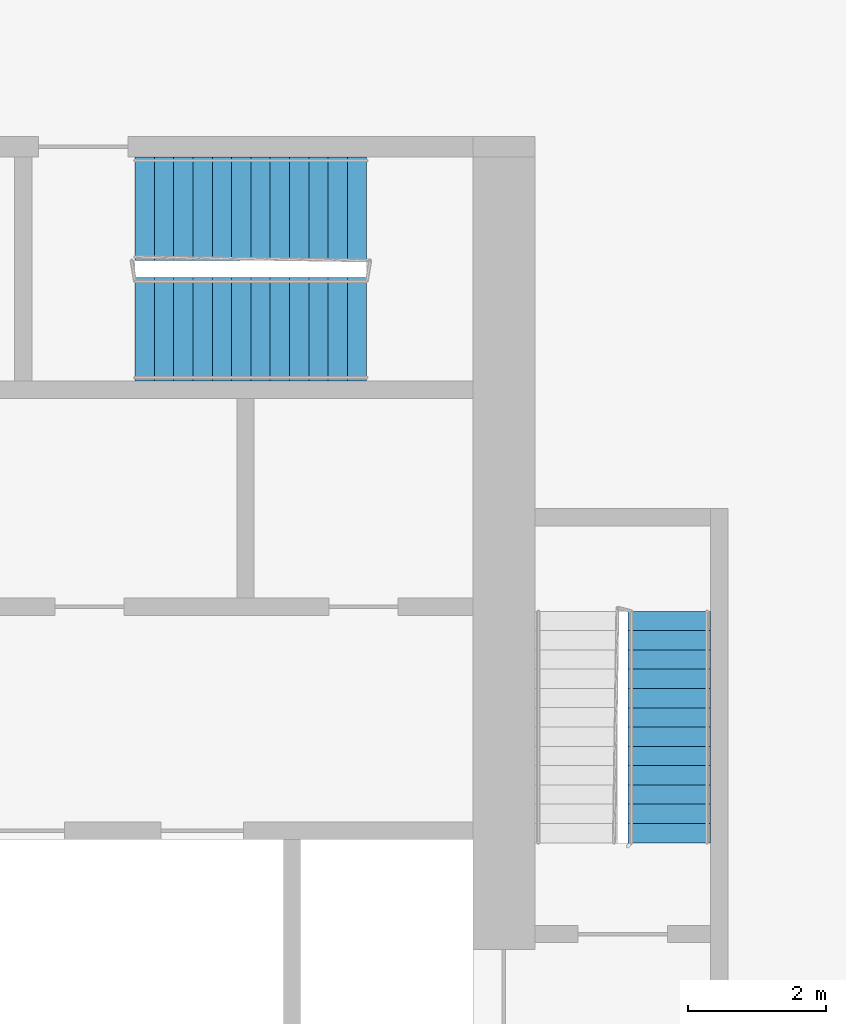
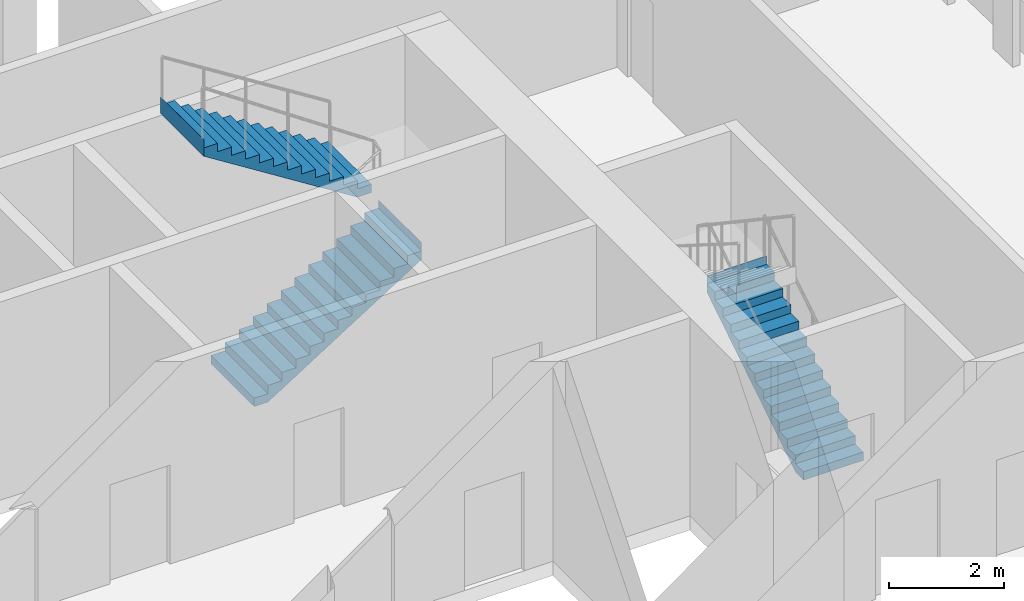
# One storey, part 24 of 26: 3 stair flights, 2 elements without a shape of their own.
"""IFC4 building model written with IfcOpenShell, lengths in metres."""

from ifc_helpers import new_model, si_unit, direction, frame, origin, place, context, subcontext, project, spatial, faceted_brep, material, type_object, element, aggregate, save


model = new_model("IFC4")

# Units and contexts
model_context = context("Model", 3, precision=1e-05, world=origin(), true_north=direction((0.0, 1.0)))
body_context = subcontext(model_context, "Body", "Model", "MODEL_VIEW")
ifc_project = project(units=[si_unit("LENGTHUNIT", "METRE"), si_unit("AREAUNIT", "SQUARE_METRE"), si_unit("VOLUMEUNIT", "CUBIC_METRE"), si_unit("PLANEANGLEUNIT", "RADIAN"), si_unit("MASSUNIT", "GRAM", prefix="KILO")], contexts=[model_context])

# Site, building, storey
site_placement = place(None, origin())
site = spatial("IfcSite", under=ifc_project, at=site_placement, CompositionType="ELEMENT")
building_placement = place(site_placement, origin())
building = spatial("IfcBuilding", under=site, at=building_placement, Name="Kajstack Hotel Tower", CompositionType="ELEMENT")
storey_placement = place(building_placement, frame((0.0, 0.0, 257.300048828125)))
storey = spatial("IfcBuildingStorey", under=building, at=storey_placement, Name="L64", CompositionType="ELEMENT", Elevation=257.300048828125)

# Stair, stair flight
ifc_material = material(Name="Concrete C40/50", Category="concrete")
stair_type_1 = type_object("IfcStairType", Name="Exit stair 1200", PredefinedType="HALF_TURN_STAIR", material=ifc_material)
stair_1_placement = place(storey_placement, origin())
stair_1 = element("IfcStair", 1, at=stair_1_placement, inside=storey, type_object=stair_type_1, Name="L64 stair E1", PredefinedType="HALF_TURN_STAIR")
stair_flight_type_1 = type_object("IfcStairFlightType", Name="Exit stair flight 1200", PredefinedType="STRAIGHT", material=ifc_material)
stair_flight_1_placement = place(storey_placement, frame((33.449951171875, 5.25, 0.0), z_axis=(0.0, 0.0, 1.0), x_axis=(0.0, 1.0, 0.0)))
stair_flight_1 = element("IfcStairFlight", 2, at=stair_flight_1_placement, type_object=stair_flight_type_1, Name="E1 flight 1", NumberOfRisers=13, NumberOfTreads=12, PredefinedType="STRAIGHT", RiserHeight=0.176923077, TreadLength=0.28, context=body_context, shape_type="Brep", body=[
    faceted_brep([(0.281005859375, -0.60009765625, 0.0), (3.360595703125, -0.60009765625, 1.94580078125), (3.360595703125, -0.60009765625, 2.300048828125), (3.360107421875, -0.60009765625, 2.300048828125), (3.360107421875, -0.60009765625, 2.123046875), (3.080078125, -0.60009765625, 2.123046875), (3.080078125, -0.60009765625, 1.946044921875), (2.800048828125, -0.60009765625, 1.946044921875), (2.800048828125, -0.60009765625, 1.769287109375), (2.52001953125, -0.60009765625, 1.769287109375), (2.52001953125, -0.60009765625, 1.59228515625), (2.239990234375, -0.60009765625, 1.59228515625), (2.239990234375, -0.60009765625, 1.415283203125), (1.9599609375, -0.60009765625, 1.415283203125), (1.9599609375, -0.60009765625, 1.238525390625), (1.679931640625, -0.60009765625, 1.238525390625), (1.679931640625, -0.60009765625, 1.0615234375), (1.39990234375, -0.60009765625, 1.0615234375), (1.39990234375, -0.60009765625, 0.884521484375), (1.1201171875, -0.60009765625, 0.884521484375), (1.1201171875, -0.60009765625, 0.707763671875), (0.840087890625, -0.60009765625, 0.707763671875), (0.840087890625, -0.60009765625, 0.53076171875), (0.56005859375, -0.60009765625, 0.53076171875), (0.56005859375, -0.60009765625, 0.353759765625), (0.280029296875, -0.60009765625, 0.353759765625), (0.280029296875, -0.60009765625, 0.177001953125), (-0.00048828125, -0.60009765625, 0.177001953125), (-0.00048828125, -0.60009765625, 0.0), (-0.00048828125, 0.60009765625, 0.0), (-0.00048828125, 0.60009765625, 0.177001953125), (0.280029296875, 0.60009765625, 0.177001953125), (0.280029296875, 0.60009765625, 0.353759765625), (0.56005859375, 0.60009765625, 0.353759765625), (0.56005859375, 0.60009765625, 0.53076171875), (0.840087890625, 0.60009765625, 0.53076171875), (0.840087890625, 0.60009765625, 0.707763671875), (1.1201171875, 0.60009765625, 0.707763671875), (1.1201171875, 0.60009765625, 0.884521484375), (1.39990234375, 0.60009765625, 0.884521484375), (1.39990234375, 0.60009765625, 1.0615234375), (1.679931640625, 0.60009765625, 1.0615234375), (1.679931640625, 0.60009765625, 1.238525390625), (1.9599609375, 0.60009765625, 1.238525390625), (1.9599609375, 0.60009765625, 1.415283203125), (2.239990234375, 0.60009765625, 1.415283203125), (2.239990234375, 0.60009765625, 1.59228515625), (2.52001953125, 0.60009765625, 1.59228515625), (2.52001953125, 0.60009765625, 1.769287109375), (2.800048828125, 0.60009765625, 1.769287109375), (2.800048828125, 0.60009765625, 1.946044921875), (3.080078125, 0.60009765625, 1.946044921875), (3.080078125, 0.60009765625, 2.123046875), (3.360107421875, 0.60009765625, 2.123046875), (3.360107421875, 0.60009765625, 2.300048828125), (3.360595703125, 0.60009765625, 2.300048828125), (3.360595703125, 0.60009765625, 1.94580078125), (0.281005859375, 0.60009765625, 0.0), (-0.00048828125, -0.300048828125, 0.177001953125), (-0.00048828125, 0.0, 0.177001953125), (-0.00048828125, 0.300048828125, 0.177001953125), (-0.00048828125, 0.300048828125, 0.0), (-0.00048828125, 0.0, 0.0), (-0.00048828125, -0.300048828125, 0.0), (0.280029296875, -0.300048828125, 0.177001953125), (0.280029296875, 0.0, 0.177001953125), (0.280029296875, 0.300048828125, 0.177001953125), (0.280029296875, -0.300048828125, 0.353759765625), (0.280029296875, 0.0, 0.353759765625), (0.280029296875, 0.300048828125, 0.353759765625), (0.56005859375, -0.300048828125, 0.353759765625), (0.56005859375, 0.0, 0.353759765625), (0.56005859375, 0.300048828125, 0.353759765625), (0.56005859375, -0.300048828125, 0.53076171875), (0.56005859375, 0.0, 0.53076171875), (0.56005859375, 0.300048828125, 0.53076171875), (0.840087890625, -0.300048828125, 0.53076171875), (0.840087890625, 0.0, 0.53076171875), (0.840087890625, 0.300048828125, 0.53076171875), (0.840087890625, -0.300048828125, 0.707763671875), (0.840087890625, 0.0, 0.707763671875), (0.840087890625, 0.300048828125, 0.707763671875), (1.1201171875, -0.300048828125, 0.707763671875), (1.1201171875, 0.0, 0.707763671875), (1.1201171875, 0.300048828125, 0.707763671875), (1.1201171875, -0.300048828125, 0.884521484375), (1.1201171875, 0.0, 0.884521484375), (1.1201171875, 0.300048828125, 0.884521484375), (1.39990234375, -0.300048828125, 0.884521484375), (1.39990234375, 0.0, 0.884521484375), (1.39990234375, 0.300048828125, 0.884521484375), (1.39990234375, -0.300048828125, 1.0615234375), (1.39990234375, 0.0, 1.0615234375), (1.39990234375, 0.300048828125, 1.0615234375), (1.679931640625, -0.300048828125, 1.0615234375), (1.679931640625, 0.0, 1.0615234375), (1.679931640625, 0.300048828125, 1.0615234375), (1.679931640625, -0.300048828125, 1.238525390625), (1.679931640625, 0.0, 1.238525390625), (1.679931640625, 0.300048828125, 1.238525390625), (1.9599609375, -0.300048828125, 1.238525390625), (1.9599609375, 0.0, 1.238525390625), (1.9599609375, 0.300048828125, 1.238525390625), (1.9599609375, -0.300048828125, 1.415283203125), (1.9599609375, 0.0, 1.415283203125), (1.9599609375, 0.300048828125, 1.415283203125), (2.239990234375, -0.300048828125, 1.415283203125), (2.239990234375, 0.0, 1.415283203125), (2.239990234375, 0.300048828125, 1.415283203125), (2.239990234375, -0.300048828125, 1.59228515625), (2.239990234375, 0.0, 1.59228515625), (2.239990234375, 0.300048828125, 1.59228515625), (2.52001953125, -0.300048828125, 1.59228515625), (2.52001953125, 0.0, 1.59228515625), (2.52001953125, 0.300048828125, 1.59228515625), (2.52001953125, -0.300048828125, 1.769287109375), (2.52001953125, 0.0, 1.769287109375), (2.52001953125, 0.300048828125, 1.769287109375), (2.800048828125, -0.300048828125, 1.769287109375), (2.800048828125, 0.0, 1.769287109375), (2.800048828125, 0.300048828125, 1.769287109375), (2.800048828125, -0.300048828125, 1.946044921875), (2.800048828125, 0.0, 1.946044921875), (2.800048828125, 0.300048828125, 1.946044921875), (3.080078125, -0.300048828125, 1.946044921875), (3.080078125, 0.0, 1.946044921875), (3.080078125, 0.300048828125, 1.946044921875), (3.080078125, -0.300048828125, 2.123046875), (3.080078125, 0.0, 2.123046875), (3.080078125, 0.300048828125, 2.123046875), (3.360107421875, -0.300048828125, 2.123046875), (3.360107421875, 0.0, 2.123046875), (3.360107421875, 0.300048828125, 2.123046875), (3.360107421875, -0.300048828125, 2.300048828125), (3.360107421875, 0.0, 2.300048828125), (3.360107421875, 0.300048828125, 2.300048828125), (3.360595703125, -0.300048828125, 2.300048828125), (3.360595703125, 0.0, 2.300048828125), (3.360595703125, 0.300048828125, 2.300048828125), (3.360595703125, -0.300048828125, 1.94580078125), (3.360595703125, 0.0, 1.94580078125), (3.360595703125, 0.300048828125, 1.94580078125), (0.281005859375, -0.300048828125, 0.0), (0.281005859375, 0.0, 0.0), (0.281005859375, 0.300048828125, 0.0)], [[[0, 1, 2, 3, 4, 5, 6, 7, 8, 9, 10, 11, 12, 13, 14, 15, 16, 17, 18, 19, 20, 21, 22, 23, 24, 25, 26, 27, 28]], [[29, 30, 31, 32, 33, 34, 35, 36, 37, 38, 39, 40, 41, 42, 43, 44, 45, 46, 47, 48, 49, 50, 51, 52, 53, 54, 55, 56, 57]], [[27, 58, 59, 60, 30, 29, 61, 62, 63, 28]], [[26, 64, 65, 66, 31, 30, 60, 59, 58, 27]], [[25, 67, 68, 69, 32, 31, 66, 65, 64, 26]], [[24, 70, 71, 72, 33, 32, 69, 68, 67, 25]], [[23, 73, 74, 75, 34, 33, 72, 71, 70, 24]], [[22, 76, 77, 78, 35, 34, 75, 74, 73, 23]], [[21, 79, 80, 81, 36, 35, 78, 77, 76, 22]], [[20, 82, 83, 84, 37, 36, 81, 80, 79, 21]], [[19, 85, 86, 87, 38, 37, 84, 83, 82, 20]], [[18, 88, 89, 90, 39, 38, 87, 86, 85, 19]], [[17, 91, 92, 93, 40, 39, 90, 89, 88, 18]], [[16, 94, 95, 96, 41, 40, 93, 92, 91, 17]], [[15, 97, 98, 99, 42, 41, 96, 95, 94, 16]], [[14, 100, 101, 102, 43, 42, 99, 98, 97, 15]], [[13, 103, 104, 105, 44, 43, 102, 101, 100, 14]], [[12, 106, 107, 108, 45, 44, 105, 104, 103, 13]], [[11, 109, 110, 111, 46, 45, 108, 107, 106, 12]], [[10, 112, 113, 114, 47, 46, 111, 110, 109, 11]], [[9, 115, 116, 117, 48, 47, 114, 113, 112, 10]], [[8, 118, 119, 120, 49, 48, 117, 116, 115, 9]], [[7, 121, 122, 123, 50, 49, 120, 119, 118, 8]], [[6, 124, 125, 126, 51, 50, 123, 122, 121, 7]], [[5, 127, 128, 129, 52, 51, 126, 125, 124, 6]], [[4, 130, 131, 132, 53, 52, 129, 128, 127, 5]], [[3, 133, 134, 135, 54, 53, 132, 131, 130, 4]], [[2, 136, 137, 138, 55, 54, 135, 134, 133, 3]], [[1, 139, 140, 141, 56, 55, 138, 137, 136, 2]], [[0, 142, 143, 144, 57, 56, 141, 140, 139, 1]], [[28, 63, 62, 61, 29, 57, 144, 143, 142, 0]]]),
])
aggregate(stair_1, [stair_flight_1])

# Stair, stair flights
stair_type_2 = type_object("IfcStairType", Name="Exit stair 1500", PredefinedType="HALF_TURN_STAIR", material=ifc_material)
stair_2_placement = place(storey_placement, origin())
stair_2 = element("IfcStair", 3, at=stair_2_placement, inside=storey, type_object=stair_type_2, Name="L64 stair E3", PredefinedType="HALF_TURN_STAIR")
stair_flight_type_2 = type_object("IfcStairFlightType", Name="Exit stair flight 1500", PredefinedType="STRAIGHT", material=ifc_material)
stair_flight_2_placement = place(storey_placement, frame((25.699951171875, 12.699951171875, 0.0), z_axis=(0.0, 0.0, 1.0), x_axis=(1.0, 0.0, 0.0)))
stair_flight_2 = element("IfcStairFlight", 4, at=stair_flight_2_placement, type_object=stair_flight_type_2, Name="E3 flight 1", NumberOfRisers=13, NumberOfTreads=12, PredefinedType="STRAIGHT", RiserHeight=0.176923077, TreadLength=0.28, context=body_context, shape_type="Brep", body=[
    faceted_brep([(0.281005859375, -0.75, 0.0), (3.360595703125, -0.75, 1.94580078125), (3.360595703125, -0.75, 2.300048828125), (3.360107421875, -0.75, 2.300048828125), (3.360107421875, -0.75, 2.123046875), (3.080078125, -0.75, 2.123046875), (3.080078125, -0.75, 1.946044921875), (2.800048828125, -0.75, 1.946044921875), (2.800048828125, -0.75, 1.769287109375), (2.52001953125, -0.75, 1.769287109375), (2.52001953125, -0.75, 1.59228515625), (2.239990234375, -0.75, 1.59228515625), (2.239990234375, -0.75, 1.415283203125), (1.9599609375, -0.75, 1.415283203125), (1.9599609375, -0.75, 1.238525390625), (1.679931640625, -0.75, 1.238525390625), (1.679931640625, -0.75, 1.0615234375), (1.39990234375, -0.75, 1.0615234375), (1.39990234375, -0.75, 0.884521484375), (1.1201171875, -0.75, 0.884521484375), (1.1201171875, -0.75, 0.707763671875), (0.840087890625, -0.75, 0.707763671875), (0.840087890625, -0.75, 0.53076171875), (0.56005859375, -0.75, 0.53076171875), (0.56005859375, -0.75, 0.353759765625), (0.280029296875, -0.75, 0.353759765625), (0.280029296875, -0.75, 0.177001953125), (-0.00048828125, -0.75, 0.177001953125), (-0.00048828125, -0.75, 0.0), (-0.00048828125, 0.75, 0.0), (-0.00048828125, 0.75, 0.177001953125), (0.280029296875, 0.75, 0.177001953125), (0.280029296875, 0.75, 0.353759765625), (0.56005859375, 0.75, 0.353759765625), (0.56005859375, 0.75, 0.53076171875), (0.840087890625, 0.75, 0.53076171875), (0.840087890625, 0.75, 0.707763671875), (1.1201171875, 0.75, 0.707763671875), (1.1201171875, 0.75, 0.884521484375), (1.39990234375, 0.75, 0.884521484375), (1.39990234375, 0.75, 1.0615234375), (1.679931640625, 0.75, 1.0615234375), (1.679931640625, 0.75, 1.238525390625), (1.9599609375, 0.75, 1.238525390625), (1.9599609375, 0.75, 1.415283203125), (2.239990234375, 0.75, 1.415283203125), (2.239990234375, 0.75, 1.59228515625), (2.52001953125, 0.75, 1.59228515625), (2.52001953125, 0.75, 1.769287109375), (2.800048828125, 0.75, 1.769287109375), (2.800048828125, 0.75, 1.946044921875), (3.080078125, 0.75, 1.946044921875), (3.080078125, 0.75, 2.123046875), (3.360107421875, 0.75, 2.123046875), (3.360107421875, 0.75, 2.300048828125), (3.360595703125, 0.75, 2.300048828125), (3.360595703125, 0.75, 1.94580078125), (0.281005859375, 0.75, 0.0), (-0.00048828125, -0.375, 0.177001953125), (-0.00048828125, 0.0, 0.177001953125), (-0.00048828125, 0.375, 0.177001953125), (-0.00048828125, 0.375, 0.0), (-0.00048828125, 0.0, 0.0), (-0.00048828125, -0.375, 0.0), (0.280029296875, -0.375, 0.177001953125), (0.280029296875, 0.0, 0.177001953125), (0.280029296875, 0.375, 0.177001953125), (0.280029296875, -0.375, 0.353759765625), (0.280029296875, 0.0, 0.353759765625), (0.280029296875, 0.375, 0.353759765625), (0.56005859375, -0.375, 0.353759765625), (0.56005859375, 0.0, 0.353759765625), (0.56005859375, 0.375, 0.353759765625), (0.56005859375, -0.375, 0.53076171875), (0.56005859375, 0.0, 0.53076171875), (0.56005859375, 0.375, 0.53076171875), (0.840087890625, -0.375, 0.53076171875), (0.840087890625, 0.0, 0.53076171875), (0.840087890625, 0.375, 0.53076171875), (0.840087890625, -0.375, 0.707763671875), (0.840087890625, 0.0, 0.707763671875), (0.840087890625, 0.375, 0.707763671875), (1.1201171875, -0.375, 0.707763671875), (1.1201171875, 0.0, 0.707763671875), (1.1201171875, 0.375, 0.707763671875), (1.1201171875, -0.375, 0.884521484375), (1.1201171875, 0.0, 0.884521484375), (1.1201171875, 0.375, 0.884521484375), (1.39990234375, -0.375, 0.884521484375), (1.39990234375, 0.0, 0.884521484375), (1.39990234375, 0.375, 0.884521484375), (1.39990234375, -0.375, 1.0615234375), (1.39990234375, 0.0, 1.0615234375), (1.39990234375, 0.375, 1.0615234375), (1.679931640625, -0.375, 1.0615234375), (1.679931640625, 0.0, 1.0615234375), (1.679931640625, 0.375, 1.0615234375), (1.679931640625, -0.375, 1.238525390625), (1.679931640625, 0.0, 1.238525390625), (1.679931640625, 0.375, 1.238525390625), (1.9599609375, -0.375, 1.238525390625), (1.9599609375, 0.0, 1.238525390625), (1.9599609375, 0.375, 1.238525390625), (1.9599609375, -0.375, 1.415283203125), (1.9599609375, 0.0, 1.415283203125), (1.9599609375, 0.375, 1.415283203125), (2.239990234375, -0.375, 1.415283203125), (2.239990234375, 0.0, 1.415283203125), (2.239990234375, 0.375, 1.415283203125), (2.239990234375, -0.375, 1.59228515625), (2.239990234375, 0.0, 1.59228515625), (2.239990234375, 0.375, 1.59228515625), (2.52001953125, -0.375, 1.59228515625), (2.52001953125, 0.0, 1.59228515625), (2.52001953125, 0.375, 1.59228515625), (2.52001953125, -0.375, 1.769287109375), (2.52001953125, 0.0, 1.769287109375), (2.52001953125, 0.375, 1.769287109375), (2.800048828125, -0.375, 1.769287109375), (2.800048828125, 0.0, 1.769287109375), (2.800048828125, 0.375, 1.769287109375), (2.800048828125, -0.375, 1.946044921875), (2.800048828125, 0.0, 1.946044921875), (2.800048828125, 0.375, 1.946044921875), (3.080078125, -0.375, 1.946044921875), (3.080078125, 0.0, 1.946044921875), (3.080078125, 0.375, 1.946044921875), (3.080078125, -0.375, 2.123046875), (3.080078125, 0.0, 2.123046875), (3.080078125, 0.375, 2.123046875), (3.360107421875, -0.375, 2.123046875), (3.360107421875, 0.0, 2.123046875), (3.360107421875, 0.375, 2.123046875), (3.360107421875, -0.375, 2.300048828125), (3.360107421875, 0.0, 2.300048828125), (3.360107421875, 0.375, 2.300048828125), (3.360595703125, -0.375, 2.300048828125), (3.360595703125, 0.0, 2.300048828125), (3.360595703125, 0.375, 2.300048828125), (3.360595703125, -0.375, 1.94580078125), (3.360595703125, 0.0, 1.94580078125), (3.360595703125, 0.375, 1.94580078125), (0.281005859375, -0.375, 0.0), (0.281005859375, 0.0, 0.0), (0.281005859375, 0.375, 0.0)], [[[0, 1, 2, 3, 4, 5, 6, 7, 8, 9, 10, 11, 12, 13, 14, 15, 16, 17, 18, 19, 20, 21, 22, 23, 24, 25, 26, 27, 28]], [[29, 30, 31, 32, 33, 34, 35, 36, 37, 38, 39, 40, 41, 42, 43, 44, 45, 46, 47, 48, 49, 50, 51, 52, 53, 54, 55, 56, 57]], [[27, 58, 59, 60, 30, 29, 61, 62, 63, 28]], [[26, 64, 65, 66, 31, 30, 60, 59, 58, 27]], [[25, 67, 68, 69, 32, 31, 66, 65, 64, 26]], [[24, 70, 71, 72, 33, 32, 69, 68, 67, 25]], [[23, 73, 74, 75, 34, 33, 72, 71, 70, 24]], [[22, 76, 77, 78, 35, 34, 75, 74, 73, 23]], [[21, 79, 80, 81, 36, 35, 78, 77, 76, 22]], [[20, 82, 83, 84, 37, 36, 81, 80, 79, 21]], [[19, 85, 86, 87, 38, 37, 84, 83, 82, 20]], [[18, 88, 89, 90, 39, 38, 87, 86, 85, 19]], [[17, 91, 92, 93, 40, 39, 90, 89, 88, 18]], [[16, 94, 95, 96, 41, 40, 93, 92, 91, 17]], [[15, 97, 98, 99, 42, 41, 96, 95, 94, 16]], [[14, 100, 101, 102, 43, 42, 99, 98, 97, 15]], [[13, 103, 104, 105, 44, 43, 102, 101, 100, 14]], [[12, 106, 107, 108, 45, 44, 105, 104, 103, 13]], [[11, 109, 110, 111, 46, 45, 108, 107, 106, 12]], [[10, 112, 113, 114, 47, 46, 111, 110, 109, 11]], [[9, 115, 116, 117, 48, 47, 114, 113, 112, 10]], [[8, 118, 119, 120, 49, 48, 117, 116, 115, 9]], [[7, 121, 122, 123, 50, 49, 120, 119, 118, 8]], [[6, 124, 125, 126, 51, 50, 123, 122, 121, 7]], [[5, 127, 128, 129, 52, 51, 126, 125, 124, 6]], [[4, 130, 131, 132, 53, 52, 129, 128, 127, 5]], [[3, 133, 134, 135, 54, 53, 132, 131, 130, 4]], [[2, 136, 137, 138, 55, 54, 135, 134, 133, 3]], [[1, 139, 140, 141, 56, 55, 138, 137, 136, 2]], [[0, 142, 143, 144, 57, 56, 141, 140, 139, 1]], [[28, 63, 62, 61, 29, 57, 144, 143, 142, 0]]]),
])
stair_flight_3_placement = place(storey_placement, frame((29.06005859375, 14.449951171875, 2.300048828125), z_axis=(0.0, 0.0, 1.0), x_axis=(-1.0, 0.0, 0.0)))
stair_flight_3 = element("IfcStairFlight", 5, at=stair_flight_3_placement, type_object=stair_flight_type_2, Name="E3 flight 2", NumberOfRisers=13, NumberOfTreads=12, PredefinedType="STRAIGHT", RiserHeight=0.176923077, TreadLength=0.28, context=body_context, shape_type="Brep", body=[
    faceted_brep([(0.281005859375, -0.75, 0.0), (3.360595703125, -0.75, 1.94580078125), (3.360595703125, -0.75, 2.300048828125), (3.360107421875, -0.75, 2.300048828125), (3.360107421875, -0.75, 2.123046875), (3.080078125, -0.75, 2.123046875), (3.080078125, -0.75, 1.946044921875), (2.800048828125, -0.75, 1.946044921875), (2.800048828125, -0.75, 1.769287109375), (2.52001953125, -0.75, 1.769287109375), (2.52001953125, -0.75, 1.59228515625), (2.239990234375, -0.75, 1.59228515625), (2.239990234375, -0.75, 1.415283203125), (1.9599609375, -0.75, 1.415283203125), (1.9599609375, -0.75, 1.238525390625), (1.679931640625, -0.75, 1.238525390625), (1.679931640625, -0.75, 1.0615234375), (1.39990234375, -0.75, 1.0615234375), (1.39990234375, -0.75, 0.884521484375), (1.1201171875, -0.75, 0.884521484375), (1.1201171875, -0.75, 0.707763671875), (0.840087890625, -0.75, 0.707763671875), (0.840087890625, -0.75, 0.53076171875), (0.56005859375, -0.75, 0.53076171875), (0.56005859375, -0.75, 0.353759765625), (0.280029296875, -0.75, 0.353759765625), (0.280029296875, -0.75, 0.177001953125), (-0.00048828125, -0.75, 0.177001953125), (-0.00048828125, -0.75, 0.0), (-0.00048828125, 0.75, 0.0), (-0.00048828125, 0.75, 0.177001953125), (0.280029296875, 0.75, 0.177001953125), (0.280029296875, 0.75, 0.353759765625), (0.56005859375, 0.75, 0.353759765625), (0.56005859375, 0.75, 0.53076171875), (0.840087890625, 0.75, 0.53076171875), (0.840087890625, 0.75, 0.707763671875), (1.1201171875, 0.75, 0.707763671875), (1.1201171875, 0.75, 0.884521484375), (1.39990234375, 0.75, 0.884521484375), (1.39990234375, 0.75, 1.0615234375), (1.679931640625, 0.75, 1.0615234375), (1.679931640625, 0.75, 1.238525390625), (1.9599609375, 0.75, 1.238525390625), (1.9599609375, 0.75, 1.415283203125), (2.239990234375, 0.75, 1.415283203125), (2.239990234375, 0.75, 1.59228515625), (2.52001953125, 0.75, 1.59228515625), (2.52001953125, 0.75, 1.769287109375), (2.800048828125, 0.75, 1.769287109375), (2.800048828125, 0.75, 1.946044921875), (3.080078125, 0.75, 1.946044921875), (3.080078125, 0.75, 2.123046875), (3.360107421875, 0.75, 2.123046875), (3.360107421875, 0.75, 2.300048828125), (3.360595703125, 0.75, 2.300048828125), (3.360595703125, 0.75, 1.94580078125), (0.281005859375, 0.75, 0.0), (-0.00048828125, -0.375, 0.177001953125), (-0.00048828125, 0.0, 0.177001953125), (-0.00048828125, 0.375, 0.177001953125), (-0.00048828125, 0.375, 0.0), (-0.00048828125, 0.0, 0.0), (-0.00048828125, -0.375, 0.0), (0.280029296875, -0.375, 0.177001953125), (0.280029296875, 0.0, 0.177001953125), (0.280029296875, 0.375, 0.177001953125), (0.280029296875, -0.375, 0.353759765625), (0.280029296875, 0.0, 0.353759765625), (0.280029296875, 0.375, 0.353759765625), (0.56005859375, -0.375, 0.353759765625), (0.56005859375, 0.0, 0.353759765625), (0.56005859375, 0.375, 0.353759765625), (0.56005859375, -0.375, 0.53076171875), (0.56005859375, 0.0, 0.53076171875), (0.56005859375, 0.375, 0.53076171875), (0.840087890625, -0.375, 0.53076171875), (0.840087890625, 0.0, 0.53076171875), (0.840087890625, 0.375, 0.53076171875), (0.840087890625, -0.375, 0.707763671875), (0.840087890625, 0.0, 0.707763671875), (0.840087890625, 0.375, 0.707763671875), (1.1201171875, -0.375, 0.707763671875), (1.1201171875, 0.0, 0.707763671875), (1.1201171875, 0.375, 0.707763671875), (1.1201171875, -0.375, 0.884521484375), (1.1201171875, 0.0, 0.884521484375), (1.1201171875, 0.375, 0.884521484375), (1.39990234375, -0.375, 0.884521484375), (1.39990234375, 0.0, 0.884521484375), (1.39990234375, 0.375, 0.884521484375), (1.39990234375, -0.375, 1.0615234375), (1.39990234375, 0.0, 1.0615234375), (1.39990234375, 0.375, 1.0615234375), (1.679931640625, -0.375, 1.0615234375), (1.679931640625, 0.0, 1.0615234375), (1.679931640625, 0.375, 1.0615234375), (1.679931640625, -0.375, 1.238525390625), (1.679931640625, 0.0, 1.238525390625), (1.679931640625, 0.375, 1.238525390625), (1.9599609375, -0.375, 1.238525390625), (1.9599609375, 0.0, 1.238525390625), (1.9599609375, 0.375, 1.238525390625), (1.9599609375, -0.375, 1.415283203125), (1.9599609375, 0.0, 1.415283203125), (1.9599609375, 0.375, 1.415283203125), (2.239990234375, -0.375, 1.415283203125), (2.239990234375, 0.0, 1.415283203125), (2.239990234375, 0.375, 1.415283203125), (2.239990234375, -0.375, 1.59228515625), (2.239990234375, 0.0, 1.59228515625), (2.239990234375, 0.375, 1.59228515625), (2.52001953125, -0.375, 1.59228515625), (2.52001953125, 0.0, 1.59228515625), (2.52001953125, 0.375, 1.59228515625), (2.52001953125, -0.375, 1.769287109375), (2.52001953125, 0.0, 1.769287109375), (2.52001953125, 0.375, 1.769287109375), (2.800048828125, -0.375, 1.769287109375), (2.800048828125, 0.0, 1.769287109375), (2.800048828125, 0.375, 1.769287109375), (2.800048828125, -0.375, 1.946044921875), (2.800048828125, 0.0, 1.946044921875), (2.800048828125, 0.375, 1.946044921875), (3.080078125, -0.375, 1.946044921875), (3.080078125, 0.0, 1.946044921875), (3.080078125, 0.375, 1.946044921875), (3.080078125, -0.375, 2.123046875), (3.080078125, 0.0, 2.123046875), (3.080078125, 0.375, 2.123046875), (3.360107421875, -0.375, 2.123046875), (3.360107421875, 0.0, 2.123046875), (3.360107421875, 0.375, 2.123046875), (3.360107421875, -0.375, 2.300048828125), (3.360107421875, 0.0, 2.300048828125), (3.360107421875, 0.375, 2.300048828125), (3.360595703125, -0.375, 2.300048828125), (3.360595703125, 0.0, 2.300048828125), (3.360595703125, 0.375, 2.300048828125), (3.360595703125, -0.375, 1.94580078125), (3.360595703125, 0.0, 1.94580078125), (3.360595703125, 0.375, 1.94580078125), (0.281005859375, -0.375, 0.0), (0.281005859375, 0.0, 0.0), (0.281005859375, 0.375, 0.0)], [[[0, 1, 2, 3, 4, 5, 6, 7, 8, 9, 10, 11, 12, 13, 14, 15, 16, 17, 18, 19, 20, 21, 22, 23, 24, 25, 26, 27, 28]], [[29, 30, 31, 32, 33, 34, 35, 36, 37, 38, 39, 40, 41, 42, 43, 44, 45, 46, 47, 48, 49, 50, 51, 52, 53, 54, 55, 56, 57]], [[27, 58, 59, 60, 30, 29, 61, 62, 63, 28]], [[26, 64, 65, 66, 31, 30, 60, 59, 58, 27]], [[25, 67, 68, 69, 32, 31, 66, 65, 64, 26]], [[24, 70, 71, 72, 33, 32, 69, 68, 67, 25]], [[23, 73, 74, 75, 34, 33, 72, 71, 70, 24]], [[22, 76, 77, 78, 35, 34, 75, 74, 73, 23]], [[21, 79, 80, 81, 36, 35, 78, 77, 76, 22]], [[20, 82, 83, 84, 37, 36, 81, 80, 79, 21]], [[19, 85, 86, 87, 38, 37, 84, 83, 82, 20]], [[18, 88, 89, 90, 39, 38, 87, 86, 85, 19]], [[17, 91, 92, 93, 40, 39, 90, 89, 88, 18]], [[16, 94, 95, 96, 41, 40, 93, 92, 91, 17]], [[15, 97, 98, 99, 42, 41, 96, 95, 94, 16]], [[14, 100, 101, 102, 43, 42, 99, 98, 97, 15]], [[13, 103, 104, 105, 44, 43, 102, 101, 100, 14]], [[12, 106, 107, 108, 45, 44, 105, 104, 103, 13]], [[11, 109, 110, 111, 46, 45, 108, 107, 106, 12]], [[10, 112, 113, 114, 47, 46, 111, 110, 109, 11]], [[9, 115, 116, 117, 48, 47, 114, 113, 112, 10]], [[8, 118, 119, 120, 49, 48, 117, 116, 115, 9]], [[7, 121, 122, 123, 50, 49, 120, 119, 118, 8]], [[6, 124, 125, 126, 51, 50, 123, 122, 121, 7]], [[5, 127, 128, 129, 52, 51, 126, 125, 124, 6]], [[4, 130, 131, 132, 53, 52, 129, 128, 127, 5]], [[3, 133, 134, 135, 54, 53, 132, 131, 130, 4]], [[2, 136, 137, 138, 55, 54, 135, 134, 133, 3]], [[1, 139, 140, 141, 56, 55, 138, 137, 136, 2]], [[0, 142, 143, 144, 57, 56, 141, 140, 139, 1]], [[28, 63, 62, 61, 29, 57, 144, 143, 142, 0]]]),
])
aggregate(stair_2, [stair_flight_2, stair_flight_3])

save(model, "model.ifc")
